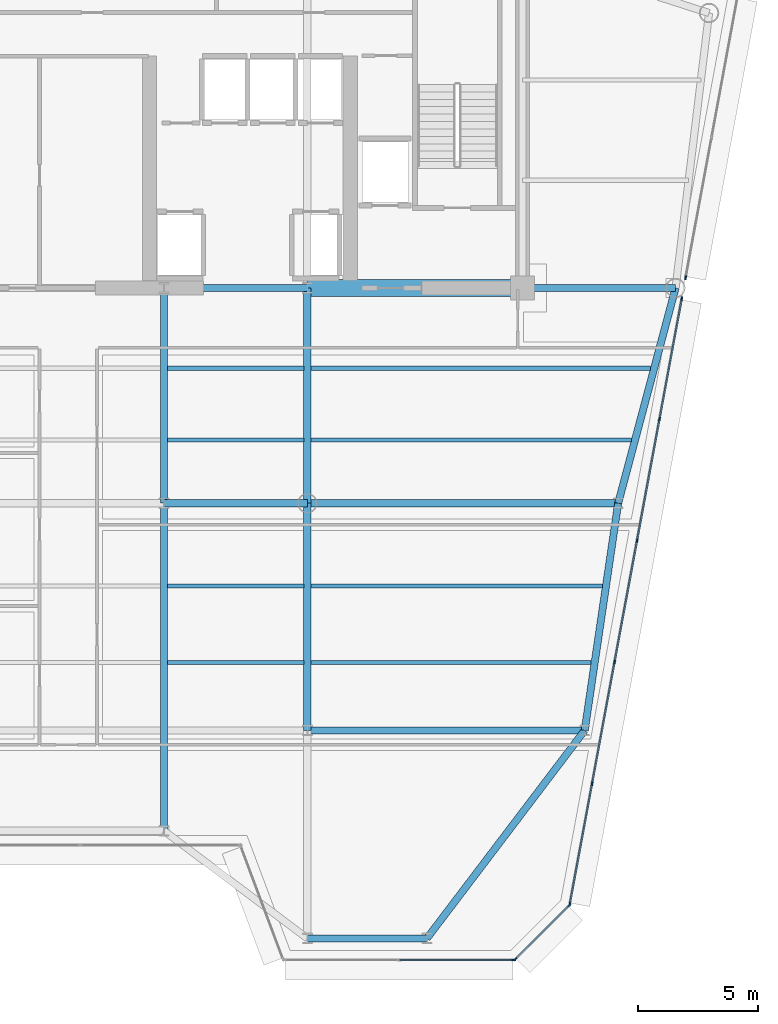
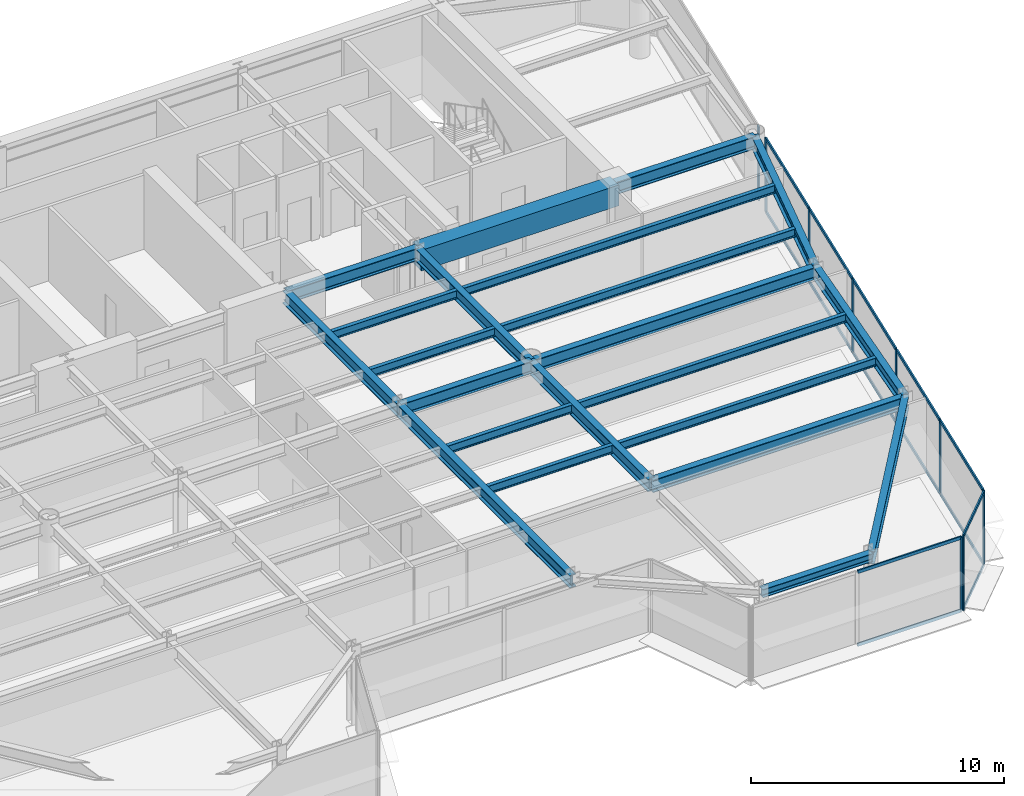
# One storey, part 6 of 16: 24 members, 22 beams, 4 elements without a shape of their own.
"""IFC4 building model written with IfcOpenShell, lengths in metres."""

from ifc_helpers import new_model, si_unit, direction, frame, origin, origin_2d, place, context, subcontext, project, spatial, rectangle, i_section, extrude, source, transform, mapped, material, layer, layer_set, material_profile, profile_set, type_object, element, aggregate, save


model = new_model("IFC4")

# Units and contexts
model_context = context("Model", 3, precision=1e-05, world=origin(), true_north=direction((0.0, 1.0)))
body_context = subcontext(model_context, "Body", "Model", "MODEL_VIEW")
ifc_project = project(units=[si_unit("LENGTHUNIT", "METRE"), si_unit("AREAUNIT", "SQUARE_METRE"), si_unit("VOLUMEUNIT", "CUBIC_METRE"), si_unit("PLANEANGLEUNIT", "RADIAN"), si_unit("MASSUNIT", "GRAM", prefix="KILO")], contexts=[model_context])

# Site, building, storey
site_placement = place(None, origin())
site = spatial("IfcSite", under=ifc_project, at=site_placement, CompositionType="ELEMENT")
building_placement = place(site_placement, origin())
building = spatial("IfcBuilding", under=site, at=building_placement, Name="Vaeldorn Concourse Tower", CompositionType="ELEMENT")
storey_placement = place(building_placement, frame((0.0, 0.0, 223.199951171875)))
storey = spatial("IfcBuildingStorey", under=building, at=storey_placement, Name="L57", CompositionType="ELEMENT", Elevation=223.199951171875)

# Beams
ifc_material_1 = material(Name="Concrete C50/60", Category="concrete")
ifc_material_profile_1 = material_profile(ifc_material_1, rectangle(XDim=0.699951171875, YDim=1.0, at=origin_2d()), Name="RC 700x1000")
ifc_profile_set_1 = profile_set([ifc_material_profile_1], Name="Concrete C50/60")
beam_type_1 = type_object("IfcBeamType", Name="BM-CB-RC700", PredefinedType="BEAM", material=ifc_profile_set_1)
shared_shape_1 = source(origin(), body_context, "Body", "SweptSolid", [
    extrude(rectangle(XDim=0.699951171875, YDim=1.0, at=origin_2d()), origin(), (0.0, 0.0, 1.0), 9.0),
])
beam_1_placement = place(storey_placement, frame((45.0, 36.5, 3.080078125), z_axis=(1.0, 0.0, 0.0), x_axis=(0.0, 1.0, 0.0)))
element("IfcBeam", 1, at=beam_1_placement, inside=storey, type_object=beam_type_1, Name="Core Coupling Beam L57-2", PredefinedType="BEAM", context=body_context, shape_type="MappedRepresentation", body=[
    mapped(shared_shape_1, transform((0.0, 0.0, 0.0), scale=1.0)),
])
ifc_material_2 = material(Name="Steel S355", Category="steel")
ifc_material_profile_2 = material_profile(ifc_material_2, i_section(OverallWidth=0.300048828125, OverallDepth=0.60009765625, WebThickness=0.015380859375, FlangeThickness=0.030029296875, FilletRadius=0.027099609375, at=origin_2d()), Name="HEB 600")
ifc_profile_set_2 = profile_set([ifc_material_profile_2], Name="Steel S355")
beam_type_2 = type_object("IfcBeamType", Name="BM-PG-HEB600", PredefinedType="BEAM", material=ifc_profile_set_2)
shared_shape_2 = source(origin(), body_context, "Body", "SweptSolid", [
    extrude(i_section(OverallWidth=0.300048828125, OverallDepth=0.60009765625, WebThickness=0.015380859375, FlangeThickness=0.030029296875, FilletRadius=0.027099609375, at=origin_2d()), origin(), (0.0, 0.0, 1.0), 6.0),
])
for number, where, z_axis, x_axis, name in (
    (2, (39.0, 36.5, 3.280029296875), (1.0, 0.0, 0.0), (0.0, 1.0, 0.0), "Beam BM-L57-C-FC4-C-FC5"),
    (3, (39.0, 27.5, 3.280029296875), (1.0, 0.0, 0.0), (0.0, 1.0, 0.0), "Beam BM-L57-C-TW3-C-TW4"),
):
    element("IfcBeam", number, at=place(storey_placement, frame(where, z_axis=z_axis, x_axis=x_axis)), inside=storey, type_object=beam_type_2, Name=name, PredefinedType="BEAM", context=body_context, shape_type="MappedRepresentation", body=[
        mapped(shared_shape_2, transform((0.0, 0.0, 0.0), scale=1.0)),
    ])
shared_shape_3 = source(origin(), body_context, "Body", "SweptSolid", [
    extrude(i_section(OverallWidth=0.300048828125, OverallDepth=0.60009765625, WebThickness=0.015380859375, FlangeThickness=0.030029296875, FilletRadius=0.027099609375, at=origin_2d()), origin(), (0.0, 0.0, 1.0), 9.0),
])
for number, where, z_axis, x_axis, name in (
    (4, (39.0, 27.5, 3.280029296875), (0.0, 1.0, 0.0), (-1.0, 0.0, 0.0), "Beam BM-L57-C-TW3-C-FC4"),
    (5, (45.0, 27.5, 3.280029296875), (0.0, 1.0, 0.0), (-1.0, 0.0, 0.0), "Beam BM-L57-C-TW4-C-FC5"),
):
    element("IfcBeam", number, at=place(storey_placement, frame(where, z_axis=z_axis, x_axis=x_axis)), inside=storey, type_object=beam_type_2, Name=name, PredefinedType="BEAM", context=body_context, shape_type="MappedRepresentation", body=[
        mapped(shared_shape_3, transform((0.0, 0.0, 0.0), scale=1.0)),
    ])
shared_shape_4 = source(origin(), body_context, "Body", "SweptSolid", [
    extrude(i_section(OverallWidth=0.300048828125, OverallDepth=0.60009765625, WebThickness=0.015380859375, FlangeThickness=0.030029296875, FilletRadius=0.027099609375, at=origin_2d()), origin(), (0.0, 0.0, 1.0), 6.39990234375),
])
beam_2_placement = place(storey_placement, frame((54.0, 36.5, 3.280029296875), z_axis=(1.0, 0.0, 0.0), x_axis=(0.0, 1.0, 0.0)))
element("IfcBeam", 6, at=beam_2_placement, inside=storey, type_object=beam_type_2, Name="Beam BM-L57-C-FC6-C-NE2", PredefinedType="BEAM", context=body_context, shape_type="MappedRepresentation", body=[
    mapped(shared_shape_4, transform((0.0, 0.0, 0.0), scale=1.0)),
])
shared_shape_5 = source(origin(), body_context, "Body", "SweptSolid", [
    extrude(i_section(OverallWidth=0.300048828125, OverallDepth=0.60009765625, WebThickness=0.015380859375, FlangeThickness=0.030029296875, FilletRadius=0.027099609375, at=origin_2d()), origin(), (0.0, 0.0, 1.0), 9.314453125),
])
beam_3_placement = place(storey_placement, frame((60.39990234375, 36.5, 3.280029296875), z_axis=(-0.257652862255, -0.966237549763, 0.0), x_axis=(0.966237549763, -0.257652862255, 0.0)))
element("IfcBeam", 7, at=beam_3_placement, inside=storey, type_object=beam_type_2, Name="Beam BM-L57-C-NE2-C-FLE1", PredefinedType="BEAM", context=body_context, shape_type="MappedRepresentation", body=[
    mapped(shared_shape_5, transform((0.0, 0.0, 0.0), scale=1.0)),
])
shared_shape_6 = source(origin(), body_context, "Body", "SweptSolid", [
    extrude(i_section(OverallWidth=0.300048828125, OverallDepth=0.60009765625, WebThickness=0.015380859375, FlangeThickness=0.030029296875, FilletRadius=0.027099609375, at=origin_2d()), origin(), (0.0, 0.0, 1.0), 13.0),
])
beam_4_placement = place(storey_placement, frame((45.0, 27.5, 3.280029296875), z_axis=(1.0, 0.0, 0.0), x_axis=(0.0, 1.0, 0.0)))
element("IfcBeam", 8, at=beam_4_placement, inside=storey, type_object=beam_type_2, Name="Beam BM-L57-C-TW4-C-FLE1", PredefinedType="BEAM", context=body_context, shape_type="MappedRepresentation", body=[
    mapped(shared_shape_6, transform((0.0, 0.0, 0.0), scale=1.0)),
])
shared_shape_7 = source(origin(), body_context, "Body", "SweptSolid", [
    extrude(i_section(OverallWidth=0.300048828125, OverallDepth=0.60009765625, WebThickness=0.015380859375, FlangeThickness=0.030029296875, FilletRadius=0.027099609375, at=origin_2d()), origin(), (0.0, 0.0, 1.0), 9.6025390625),
])
beam_5_placement = place(storey_placement, frame((58.0, 27.5, 3.280029296875), z_axis=(-0.145783835977, -0.989316467652, 0.0), x_axis=(0.989316467652, -0.145783835977, 0.0)))
element("IfcBeam", 9, at=beam_5_placement, inside=storey, type_object=beam_type_2, Name="Beam BM-L57-C-FLE1-C-FLE2", PredefinedType="BEAM", context=body_context, shape_type="MappedRepresentation", body=[
    mapped(shared_shape_7, transform((0.0, 0.0, 0.0), scale=1.0)),
])
shared_shape_8 = source(origin(), body_context, "Body", "SweptSolid", [
    extrude(i_section(OverallWidth=0.300048828125, OverallDepth=0.60009765625, WebThickness=0.015380859375, FlangeThickness=0.030029296875, FilletRadius=0.027099609375, at=origin_2d()), origin(), (0.0, 0.0, 1.0), 11.60009765625),
])
beam_6_placement = place(storey_placement, frame((45.0, 18.0, 3.280029296875), z_axis=(1.0, 0.0, 0.0), x_axis=(0.0, 1.0, 0.0)))
element("IfcBeam", 10, at=beam_6_placement, inside=storey, type_object=beam_type_2, Name="Beam BM-L57-C-TW6-C-FLE2", PredefinedType="BEAM", context=body_context, shape_type="MappedRepresentation", body=[
    mapped(shared_shape_8, transform((0.0, 0.0, 0.0), scale=1.0)),
])
shared_shape_9 = source(origin(), body_context, "Body", "SweptSolid", [
    extrude(i_section(OverallWidth=0.300048828125, OverallDepth=0.60009765625, WebThickness=0.015380859375, FlangeThickness=0.030029296875, FilletRadius=0.027099609375, at=origin_2d()), origin(), (0.0, 0.0, 1.0), 9.5),
])
beam_7_placement = place(storey_placement, frame((45.0, 18.0, 3.280029296875), z_axis=(0.0, 1.0, 0.0), x_axis=(-1.0, 0.0, 0.0)))
element("IfcBeam", 11, at=beam_7_placement, inside=storey, type_object=beam_type_2, Name="Beam BM-L57-C-TW6-C-TW4", PredefinedType="BEAM", context=body_context, shape_type="MappedRepresentation", body=[
    mapped(shared_shape_9, transform((0.0, 0.0, 0.0), scale=1.0)),
])
ifc_material_profile_3 = material_profile(ifc_material_2, i_section(OverallWidth=0.300048828125, OverallDepth=0.39990234375, WebThickness=0.013427734375, FlangeThickness=0.02392578125, FilletRadius=0.027099609375, at=origin_2d()), Name="HEB 400")
ifc_profile_set_3 = profile_set([ifc_material_profile_3], Name="Steel S355")
beam_type_3 = type_object("IfcBeamType", Name="BM-SP-HEB400", PredefinedType="SPANDREL", material=ifc_profile_set_3)
shared_shape_10 = source(origin(), body_context, "Body", "SweptSolid", [
    extrude(i_section(OverallWidth=0.300048828125, OverallDepth=0.39990234375, WebThickness=0.013427734375, FlangeThickness=0.02392578125, FilletRadius=0.027099609375, at=origin_2d()), origin(), (0.0, 0.0, 1.0), 5.0),
])
beam_8_placement = place(storey_placement, frame((45.0, 9.300048828125, 3.380126953125), z_axis=(1.0, 0.0, 0.0), x_axis=(0.0, 1.0, 0.0)))
element("IfcBeam", 12, at=beam_8_placement, inside=storey, type_object=beam_type_3, Name="Beam BM-L57-C-SF5-C-SF6", PredefinedType="SPANDREL", context=body_context, shape_type="MappedRepresentation", body=[
    mapped(shared_shape_10, transform((0.0, 0.0, 0.0), scale=1.0)),
])
ifc_material_profile_4 = material_profile(ifc_material_2, i_section(OverallWidth=0.179931640625, OverallDepth=0.39990234375, WebThickness=0.008544921875, FlangeThickness=0.013427734375, FilletRadius=0.02099609375, at=origin_2d()), Name="IPE 400")
ifc_profile_set_4 = profile_set([ifc_material_profile_4], Name="Steel S355")
beam_type_4 = type_object("IfcBeamType", Name="BM-JS-IPE400", PredefinedType="JOIST", material=ifc_profile_set_4)
shared_shape_11 = source(origin(), body_context, "Body", "SweptSolid", [
    extrude(i_section(OverallWidth=0.179931640625, OverallDepth=0.39990234375, WebThickness=0.008544921875, FlangeThickness=0.013427734375, FilletRadius=0.02099609375, at=origin_2d()), origin(), (0.0, 0.0, 1.0), 5.7001953125),
])
for number, where, z_axis, x_axis, name in (
    (13, (39.14990234375, 20.840087890625, 3.380126953125), (1.0, 0.0, 0.0), (0.0, 1.0, 0.0), "Beam JS-L57-E2-208"),
    (14, (39.14990234375, 24.0400390625, 3.380126953125), (1.0, 0.0, 0.0), (0.0, 1.0, 0.0), "Beam JS-L57-E2-240"),
    (15, (39.14990234375, 30.139892578125, 3.380126953125), (1.0, 0.0, 0.0), (0.0, 1.0, 0.0), "Beam JS-L57-E2-301"),
    (16, (39.14990234375, 33.139892578125, 3.380126953125), (1.0, 0.0, 0.0), (0.0, 1.0, 0.0), "Beam JS-L57-E2-331"),
):
    element("IfcBeam", number, at=place(storey_placement, frame(where, z_axis=z_axis, x_axis=x_axis)), inside=storey, type_object=beam_type_4, Name=name, PredefinedType="JOIST", context=body_context, shape_type="MappedRepresentation", body=[
        mapped(shared_shape_11, transform((0.0, 0.0, 0.0), scale=1.0)),
    ])
shared_shape_12 = source(origin(), body_context, "Body", "SweptSolid", [
    extrude(i_section(OverallWidth=0.300048828125, OverallDepth=0.60009765625, WebThickness=0.015380859375, FlangeThickness=0.030029296875, FilletRadius=0.027099609375, at=origin_2d()), origin(), (0.0, 0.0, 1.0), 10.920166015625),
])
beam_9_placement = place(storey_placement, frame((50.0, 9.300048828125, 3.280029296875), z_axis=(0.604394310451, 0.796685331542, 0.0), x_axis=(-0.796685331542, 0.604394310451, 0.0)))
element("IfcBeam", 17, at=beam_9_placement, inside=storey, type_object=beam_type_2, Name="Beam BM-L57-C-SF6-C-FLE2", PredefinedType="BEAM", context=body_context, shape_type="MappedRepresentation", body=[
    mapped(shared_shape_12, transform((0.0, 0.0, 0.0), scale=1.0)),
])
shared_shape_13 = source(origin(), body_context, "Body", "SweptSolid", [
    extrude(i_section(OverallWidth=0.300048828125, OverallDepth=0.60009765625, WebThickness=0.015380859375, FlangeThickness=0.030029296875, FilletRadius=0.027099609375, at=origin_2d()), origin(), (0.0, 0.0, 1.0), 13.699951171875),
])
beam_10_placement = place(storey_placement, frame((39.0, 13.800048828125, 3.280029296875), z_axis=(0.0, 1.0, 0.0), x_axis=(-1.0, 0.0, 0.0)))
element("IfcBeam", 18, at=beam_10_placement, inside=storey, type_object=beam_type_2, Name="Beam BM-L57-C-SF4-C-TW3", PredefinedType="BEAM", context=body_context, shape_type="MappedRepresentation", body=[
    mapped(shared_shape_13, transform((0.0, 0.0, 0.0), scale=1.0)),
])
shared_shape_14 = source(origin(), body_context, "Body", "SweptSolid", [
    extrude(i_section(OverallWidth=0.179931640625, OverallDepth=0.39990234375, WebThickness=0.008544921875, FlangeThickness=0.013427734375, FilletRadius=0.02099609375, at=origin_2d()), origin(), (0.0, 0.0, 1.0), 11.718505859375),
])
beam_11_placement = place(storey_placement, frame((45.14990234375, 20.840087890625, 3.380126953125), z_axis=(1.0, 0.0, 0.0), x_axis=(0.0, 1.0, 0.0)))
element("IfcBeam", 19, at=beam_11_placement, inside=storey, type_object=beam_type_4, Name="Beam JS-L57-E1-208", PredefinedType="JOIST", context=body_context, shape_type="MappedRepresentation", body=[
    mapped(shared_shape_14, transform((0.0, 0.0, 0.0), scale=1.0)),
])
shared_shape_15 = source(origin(), body_context, "Body", "SweptSolid", [
    extrude(i_section(OverallWidth=0.179931640625, OverallDepth=0.39990234375, WebThickness=0.008544921875, FlangeThickness=0.013427734375, FilletRadius=0.02099609375, at=origin_2d()), origin(), (0.0, 0.0, 1.0), 12.190185546875),
])
beam_12_placement = place(storey_placement, frame((45.14990234375, 24.0400390625, 3.380126953125), z_axis=(1.0, 0.0, 0.0), x_axis=(0.0, 1.0, 0.0)))
element("IfcBeam", 20, at=beam_12_placement, inside=storey, type_object=beam_type_4, Name="Beam JS-L57-E1-240", PredefinedType="JOIST", context=body_context, shape_type="MappedRepresentation", body=[
    mapped(shared_shape_15, transform((0.0, 0.0, 0.0), scale=1.0)),
])
shared_shape_16 = source(origin(), body_context, "Body", "SweptSolid", [
    extrude(i_section(OverallWidth=0.179931640625, OverallDepth=0.39990234375, WebThickness=0.008544921875, FlangeThickness=0.013427734375, FilletRadius=0.02099609375, at=origin_2d()), origin(), (0.0, 0.0, 1.0), 13.404052734375),
])
beam_13_placement = place(storey_placement, frame((45.14990234375, 30.139892578125, 3.380126953125), z_axis=(1.0, 0.0, 0.0), x_axis=(0.0, 1.0, 0.0)))
element("IfcBeam", 21, at=beam_13_placement, inside=storey, type_object=beam_type_4, Name="Beam JS-L57-E1-301", PredefinedType="JOIST", context=body_context, shape_type="MappedRepresentation", body=[
    mapped(shared_shape_16, transform((0.0, 0.0, 0.0), scale=1.0)),
])
shared_shape_17 = source(origin(), body_context, "Body", "SweptSolid", [
    extrude(i_section(OverallWidth=0.179931640625, OverallDepth=0.39990234375, WebThickness=0.008544921875, FlangeThickness=0.013427734375, FilletRadius=0.02099609375, at=origin_2d()), origin(), (0.0, 0.0, 1.0), 14.2041015625),
])
beam_14_placement = place(storey_placement, frame((45.14990234375, 33.139892578125, 3.380126953125), z_axis=(1.0, 0.0, 0.0), x_axis=(0.0, 1.0, 0.0)))
element("IfcBeam", 22, at=beam_14_placement, inside=storey, type_object=beam_type_4, Name="Beam JS-L57-E1-331", PredefinedType="JOIST", context=body_context, shape_type="MappedRepresentation", body=[
    mapped(shared_shape_17, transform((0.0, 0.0, 0.0), scale=1.0)),
])

# Curtain wall, members
ifc_material_3 = material(Name="Anodised Bronze Aluminium", Category="aluminium")
ifc_layer = layer(ifc_material_3, 0.179931640625)
ifc_layer_set = layer_set([ifc_layer], Name="Anodised Bronze Aluminium")
curtain_wall_type = type_object("IfcCurtainWallType", Name="CW-SYS-05", PredefinedType="NOTDEFINED", material=ifc_layer_set)
curtain_wall_1_placement = place(storey_placement, origin())
curtain_wall_1 = element("IfcCurtainWall", 23, at=curtain_wall_1_placement, inside=storey, type_object=curtain_wall_type, Name="Unitised Curtain Wall CW-L57-E06-1", PredefinedType="NOTDEFINED")
ifc_material_profile_5 = material_profile(ifc_material_3, rectangle(XDim=0.06494140625, YDim=0.14990234375, at=origin_2d()), Name="CWT 65x150")
ifc_profile_set_5 = profile_set([ifc_material_profile_5], Name="Anodised Bronze Aluminium")
member_type_1 = type_object("IfcMemberType", Name="CWT-BRONZE-150", PredefinedType="USERDEFINED", material=ifc_profile_set_5)
shared_shape_18 = source(origin(), body_context, "Body", "SweptSolid", [
    extrude(rectangle(XDim=0.06494140625, YDim=0.14990234375, at=origin_2d()), origin(), (0.0, 0.0, 1.0), 3.12255859375),
])
member_1_placement = place(storey_placement, frame((53.717041015625, 8.446044921875, 0.032470703125), z_axis=(0.707106781187, 0.707106781187, 0.0), x_axis=(-0.707106781187, 0.707106781187, 0.0)))
member_1 = element("IfcMember", 24, at=member_1_placement, type_object=member_type_1, Name="CW-05 transom 1.1", ObjectType="TRANSOM", PredefinedType="USERDEFINED", context=body_context, shape_type="MappedRepresentation", body=[
    mapped(shared_shape_18, transform((0.0, 0.0, 0.0), scale=1.0)),
])
member_2_placement = place(storey_placement, frame((53.717041015625, 8.446044921875, 3.547607421875), z_axis=(0.707106781187, 0.707106781187, 0.0), x_axis=(-0.707106781187, 0.707106781187, 0.0)))
member_2 = element("IfcMember", 25, at=member_2_placement, type_object=member_type_1, Name="CW-05 transom 1.2", ObjectType="TRANSOM", PredefinedType="USERDEFINED", context=body_context, shape_type="MappedRepresentation", body=[
    mapped(shared_shape_18, transform((0.0, 0.0, 0.0), scale=1.0)),
])

# Curtain wall, member
curtain_wall_2_placement = place(storey_placement, origin())
curtain_wall_2 = element("IfcCurtainWall", 26, at=curtain_wall_2_placement, inside=storey, type_object=curtain_wall_type, Name="Unitised Curtain Wall CW-L57-E05-1", PredefinedType="NOTDEFINED")
ifc_material_profile_6 = material_profile(ifc_material_3, rectangle(XDim=0.06494140625, YDim=0.169921875, at=origin_2d()), Name="CWM 65x170")
ifc_profile_set_6 = profile_set([ifc_material_profile_6], Name="Anodised Bronze Aluminium")
member_type_2 = type_object("IfcMemberType", Name="CWM-BRONZE-170", PredefinedType="MULLION", material=ifc_profile_set_6)
shared_shape_19 = source(origin(), body_context, "Body", "SweptSolid", [
    extrude(rectangle(XDim=0.06494140625, YDim=0.169921875, at=origin_2d()), origin(), (0.0, 0.0, 1.0), 3.580078125),
])
member_3_placement = place(storey_placement, frame((53.638427734375, 8.39990234375, 0.0), z_axis=(0.0, 0.0, 1.0), x_axis=(0.0, 1.0, 0.0)))
member_3 = element("IfcMember", 27, at=member_3_placement, type_object=member_type_2, Name="CW-05 mullion 3", PredefinedType="MULLION", context=body_context, shape_type="MappedRepresentation", body=[
    mapped(shared_shape_19, transform((0.0, 0.0, 0.0), scale=1.0)),
])

# Member
member_4_placement = place(storey_placement, frame((53.694091796875, 8.423095703125, 0.0), z_axis=(0.0, 0.0, 1.0), x_axis=(-0.707106781187, 0.707106781187, 0.0)))
member_4 = element("IfcMember", 28, at=member_4_placement, type_object=member_type_2, Name="CW-05 mullion 1", PredefinedType="MULLION", context=body_context, shape_type="MappedRepresentation", body=[
    mapped(shared_shape_19, transform((0.0, 0.0, 0.0), scale=1.0)),
])

member_5_placement = place(storey_placement, frame((55.947998046875, 10.677001953125, 0.0), z_axis=(0.0, 0.0, 1.0), x_axis=(-0.707106781187, 0.707106781187, 0.0)))
member_5 = element("IfcMember", 29, at=member_5_placement, type_object=member_type_2, Name="CW-05 mullion 2", PredefinedType="MULLION", context=body_context, shape_type="MappedRepresentation", body=[
    mapped(shared_shape_19, transform((0.0, 0.0, 0.0), scale=1.0)),
])

aggregate(curtain_wall_1, [member_4, member_5, member_1, member_2])

# Curtain wall, members
curtain_wall_3_placement = place(storey_placement, origin())
curtain_wall_3 = element("IfcCurtainWall", 30, at=curtain_wall_3_placement, inside=storey, type_object=curtain_wall_type, Name="Unitised Curtain Wall CW-L57-E07-1", PredefinedType="NOTDEFINED")
member_6_placement = place(storey_placement, frame((55.976806640625, 10.73193359375, 0.0), z_axis=(0.0, 0.0, 1.0), x_axis=(-0.983319079021, 0.181888946432, 0.0)))
member_6 = element("IfcMember", 31, at=member_6_placement, type_object=member_type_2, Name="CW-05 mullion 1", PredefinedType="MULLION", context=body_context, shape_type="MappedRepresentation", body=[
    mapped(shared_shape_19, transform((0.0, 0.0, 0.0), scale=1.0)),
])
member_7_placement = place(storey_placement, frame((56.91015625, 15.776611328125, 0.0), z_axis=(0.0, 0.0, 1.0), x_axis=(-0.983319079021, 0.181888946432, 0.0)))
member_7 = element("IfcMember", 32, at=member_7_placement, type_object=member_type_2, Name="CW-05 mullion 2", PredefinedType="MULLION", context=body_context, shape_type="MappedRepresentation", body=[
    mapped(shared_shape_19, transform((0.0, 0.0, 0.0), scale=1.0)),
])
member_8_placement = place(storey_placement, frame((57.84912109375, 20.853515625, 0.0), z_axis=(0.0, 0.0, 1.0), x_axis=(-0.983319079021, 0.181888946432, 0.0)))
member_8 = element("IfcMember", 33, at=member_8_placement, type_object=member_type_2, Name="CW-05 mullion 3", PredefinedType="MULLION", context=body_context, shape_type="MappedRepresentation", body=[
    mapped(shared_shape_19, transform((0.0, 0.0, 0.0), scale=1.0)),
])
member_9_placement = place(storey_placement, frame((58.7880859375, 25.93017578125, 0.0), z_axis=(0.0, 0.0, 1.0), x_axis=(-0.983319079021, 0.181888946432, 0.0)))
member_9 = element("IfcMember", 34, at=member_9_placement, type_object=member_type_2, Name="CW-05 mullion 4", PredefinedType="MULLION", context=body_context, shape_type="MappedRepresentation", body=[
    mapped(shared_shape_19, transform((0.0, 0.0, 0.0), scale=1.0)),
])
member_10_placement = place(storey_placement, frame((59.727294921875, 31.0068359375, 0.0), z_axis=(0.0, 0.0, 1.0), x_axis=(-0.983319079021, 0.181888946432, 0.0)))
member_10 = element("IfcMember", 35, at=member_10_placement, type_object=member_type_2, Name="CW-05 mullion 5", PredefinedType="MULLION", context=body_context, shape_type="MappedRepresentation", body=[
    mapped(shared_shape_19, transform((0.0, 0.0, 0.0), scale=1.0)),
])
member_11_placement = place(storey_placement, frame((60.660400390625, 36.051513671875, 0.0), z_axis=(0.0, 0.0, 1.0), x_axis=(-0.983319079021, 0.181888946432, 0.0)))
member_11 = element("IfcMember", 36, at=member_11_placement, type_object=member_type_2, Name="CW-05 mullion 6", PredefinedType="MULLION", context=body_context, shape_type="MappedRepresentation", body=[
    mapped(shared_shape_19, transform((0.0, 0.0, 0.0), scale=1.0)),
])

# Curtain wall, member
curtain_wall_4_placement = place(storey_placement, origin())
curtain_wall_4 = element("IfcCurtainWall", 37, at=curtain_wall_4_placement, inside=storey, type_object=curtain_wall_type, Name="Unitised Curtain Wall CW-L57-E07-2", PredefinedType="NOTDEFINED")
member_12_placement = place(storey_placement, frame((60.822509765625, 36.927490234375, 0.0), z_axis=(0.0, 0.0, 1.0), x_axis=(-0.983319270992, 0.181887908602, 0.0)))
member_12 = element("IfcMember", 38, at=member_12_placement, type_object=member_type_2, Name="CW-05 mullion 1", PredefinedType="MULLION", context=body_context, shape_type="MappedRepresentation", body=[
    mapped(shared_shape_19, transform((0.0, 0.0, 0.0), scale=1.0)),
])
aggregate(curtain_wall_4, [member_12])

# Member
shared_shape_20 = source(origin(), body_context, "Body", "SweptSolid", [
    extrude(rectangle(XDim=0.06494140625, YDim=0.14990234375, at=origin_2d()), origin(), (0.0, 0.0, 1.0), 5.065185546875),
])
member_13_placement = place(storey_placement, frame((55.98291015625, 10.763916015625, 0.032470703125), z_axis=(0.181857972654, 0.983324807875, 0.0), x_axis=(-0.983324807875, 0.181857972654, 0.0)))
member_13 = element("IfcMember", 39, at=member_13_placement, type_object=member_type_1, Name="CW-05 transom 1.1", ObjectType="TRANSOM", PredefinedType="USERDEFINED", context=body_context, shape_type="MappedRepresentation", body=[
    mapped(shared_shape_20, transform((0.0, 0.0, 0.0), scale=1.0)),
])

member_14_placement = place(storey_placement, frame((55.98291015625, 10.763916015625, 3.547607421875), z_axis=(0.181857972654, 0.983324807875, 0.0), x_axis=(-0.983324807875, 0.181857972654, 0.0)))
member_14 = element("IfcMember", 40, at=member_14_placement, type_object=member_type_1, Name="CW-05 transom 1.2", ObjectType="TRANSOM", PredefinedType="USERDEFINED", context=body_context, shape_type="MappedRepresentation", body=[
    mapped(shared_shape_20, transform((0.0, 0.0, 0.0), scale=1.0)),
])

member_15_placement = place(storey_placement, frame((59.733154296875, 31.038818359375, 0.032470703125), z_axis=(0.181904577794, 0.983316187489, 0.0), x_axis=(-0.983316187489, 0.181904577794, 0.0)))
member_15 = element("IfcMember", 41, at=member_15_placement, type_object=member_type_1, Name="CW-05 transom 5.1", ObjectType="TRANSOM", PredefinedType="USERDEFINED", context=body_context, shape_type="MappedRepresentation", body=[
    mapped(shared_shape_20, transform((0.0, 0.0, 0.0), scale=1.0)),
])

member_16_placement = place(storey_placement, frame((59.733154296875, 31.038818359375, 3.547607421875), z_axis=(0.181904577794, 0.983316187489, 0.0), x_axis=(-0.983316187489, 0.181904577794, 0.0)))
member_16 = element("IfcMember", 42, at=member_16_placement, type_object=member_type_1, Name="CW-05 transom 5.2", ObjectType="TRANSOM", PredefinedType="USERDEFINED", context=body_context, shape_type="MappedRepresentation", body=[
    mapped(shared_shape_20, transform((0.0, 0.0, 0.0), scale=1.0)),
])

shared_shape_21 = source(origin(), body_context, "Body", "SweptSolid", [
    extrude(rectangle(XDim=0.06494140625, YDim=0.14990234375, at=origin_2d()), origin(), (0.0, 0.0, 1.0), 5.097900390625),
])
member_17_placement = place(storey_placement, frame((56.916015625, 15.80859375, 0.032470703125), z_axis=(0.181885185048, 0.983319774773, 0.0), x_axis=(-0.983319774773, 0.181885185048, 0.0)))
member_17 = element("IfcMember", 43, at=member_17_placement, type_object=member_type_1, Name="CW-05 transom 2.1", ObjectType="TRANSOM", PredefinedType="USERDEFINED", context=body_context, shape_type="MappedRepresentation", body=[
    mapped(shared_shape_21, transform((0.0, 0.0, 0.0), scale=1.0)),
])

member_18_placement = place(storey_placement, frame((56.916015625, 15.80859375, 3.547607421875), z_axis=(0.181885185048, 0.983319774773, 0.0), x_axis=(-0.983319774773, 0.181885185048, 0.0)))
member_18 = element("IfcMember", 44, at=member_18_placement, type_object=member_type_1, Name="CW-05 transom 2.2", ObjectType="TRANSOM", PredefinedType="USERDEFINED", context=body_context, shape_type="MappedRepresentation", body=[
    mapped(shared_shape_21, transform((0.0, 0.0, 0.0), scale=1.0)),
])

member_19_placement = place(storey_placement, frame((57.85498046875, 20.88525390625, 0.032470703125), z_axis=(0.181885185048, 0.983319774773, 0.0), x_axis=(-0.983319774773, 0.181885185048, 0.0)))
member_19 = element("IfcMember", 45, at=member_19_placement, type_object=member_type_1, Name="CW-05 transom 3.1", ObjectType="TRANSOM", PredefinedType="USERDEFINED", context=body_context, shape_type="MappedRepresentation", body=[
    mapped(shared_shape_21, transform((0.0, 0.0, 0.0), scale=1.0)),
])

member_20_placement = place(storey_placement, frame((57.85498046875, 20.88525390625, 3.547607421875), z_axis=(0.181885185048, 0.983319774773, 0.0), x_axis=(-0.983319774773, 0.181885185048, 0.0)))
member_20 = element("IfcMember", 46, at=member_20_placement, type_object=member_type_1, Name="CW-05 transom 3.2", ObjectType="TRANSOM", PredefinedType="USERDEFINED", context=body_context, shape_type="MappedRepresentation", body=[
    mapped(shared_shape_21, transform((0.0, 0.0, 0.0), scale=1.0)),
])

shared_shape_22 = source(origin(), body_context, "Body", "SweptSolid", [
    extrude(rectangle(XDim=0.06494140625, YDim=0.14990234375, at=origin_2d()), origin(), (0.0, 0.0, 1.0), 5.09765625),
])
member_21_placement = place(storey_placement, frame((58.794189453125, 25.962158203125, 0.032470703125), z_axis=(0.181893750584, 0.983318190363, 0.0), x_axis=(-0.983318190363, 0.181893750584, 0.0)))
member_21 = element("IfcMember", 47, at=member_21_placement, type_object=member_type_1, Name="CW-05 transom 4.1", ObjectType="TRANSOM", PredefinedType="USERDEFINED", context=body_context, shape_type="MappedRepresentation", body=[
    mapped(shared_shape_22, transform((0.0, 0.0, 0.0), scale=1.0)),
])

member_22_placement = place(storey_placement, frame((58.794189453125, 25.962158203125, 3.547607421875), z_axis=(0.181893750584, 0.983318190363, 0.0), x_axis=(-0.983318190363, 0.181893750584, 0.0)))
member_22 = element("IfcMember", 48, at=member_22_placement, type_object=member_type_1, Name="CW-05 transom 4.2", ObjectType="TRANSOM", PredefinedType="USERDEFINED", context=body_context, shape_type="MappedRepresentation", body=[
    mapped(shared_shape_22, transform((0.0, 0.0, 0.0), scale=1.0)),
])

aggregate(curtain_wall_3, [member_6, member_7, member_8, member_9, member_10, member_11, member_13, member_14, member_17, member_18, member_19, member_20, member_21, member_22, member_15, member_16])

shared_shape_23 = source(origin(), body_context, "Body", "SweptSolid", [
    extrude(rectangle(XDim=0.06494140625, YDim=0.14990234375, at=origin_2d()), origin(), (0.0, 0.0, 1.0), 4.738037109375),
])
member_23_placement = place(storey_placement, frame((48.867919921875, 8.39990234375, 0.032470703125), z_axis=(1.0, 0.0, 0.0), x_axis=(0.0, 1.0, 0.0)))
member_23 = element("IfcMember", 49, at=member_23_placement, type_object=member_type_1, Name="CW-05 transom 2.1", ObjectType="TRANSOM", PredefinedType="USERDEFINED", context=body_context, shape_type="MappedRepresentation", body=[
    mapped(shared_shape_23, transform((0.0, 0.0, 0.0), scale=1.0)),
])

member_24_placement = place(storey_placement, frame((48.867919921875, 8.39990234375, 3.547607421875), z_axis=(1.0, 0.0, 0.0), x_axis=(0.0, 1.0, 0.0)))
member_24 = element("IfcMember", 50, at=member_24_placement, type_object=member_type_1, Name="CW-05 transom 2.2", ObjectType="TRANSOM", PredefinedType="USERDEFINED", context=body_context, shape_type="MappedRepresentation", body=[
    mapped(shared_shape_23, transform((0.0, 0.0, 0.0), scale=1.0)),
])

aggregate(curtain_wall_2, [member_3, member_23, member_24])

save(model, "model.ifc")
